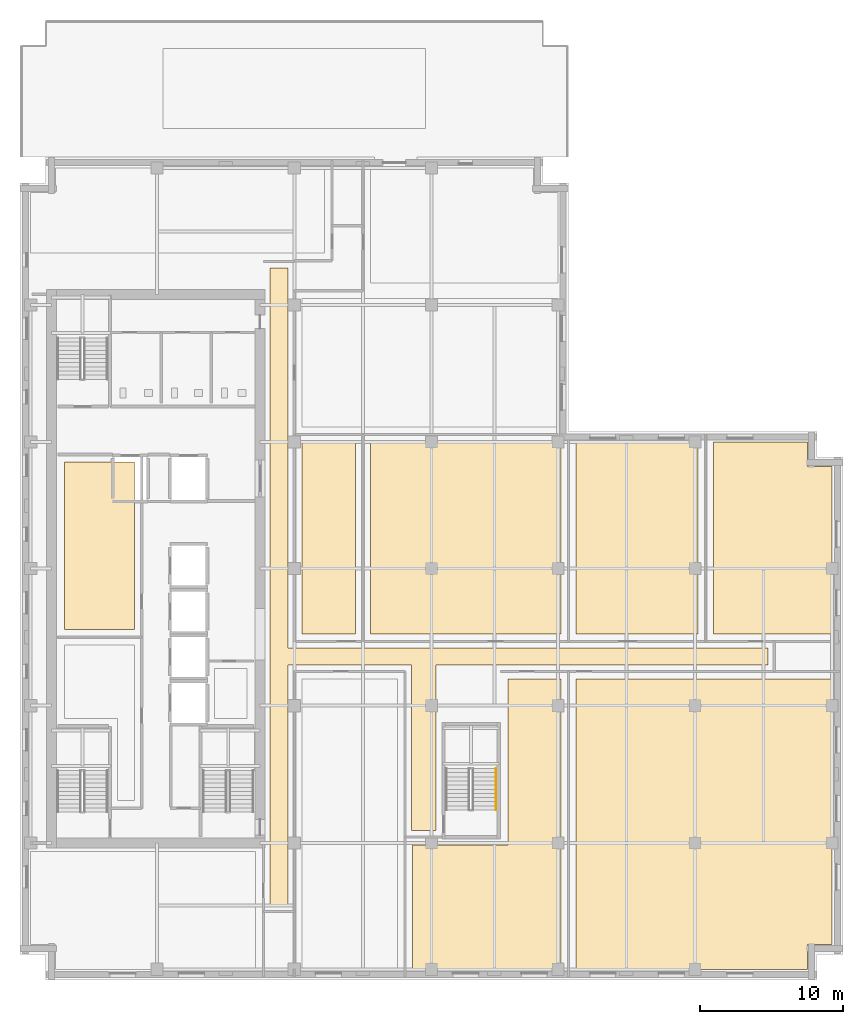
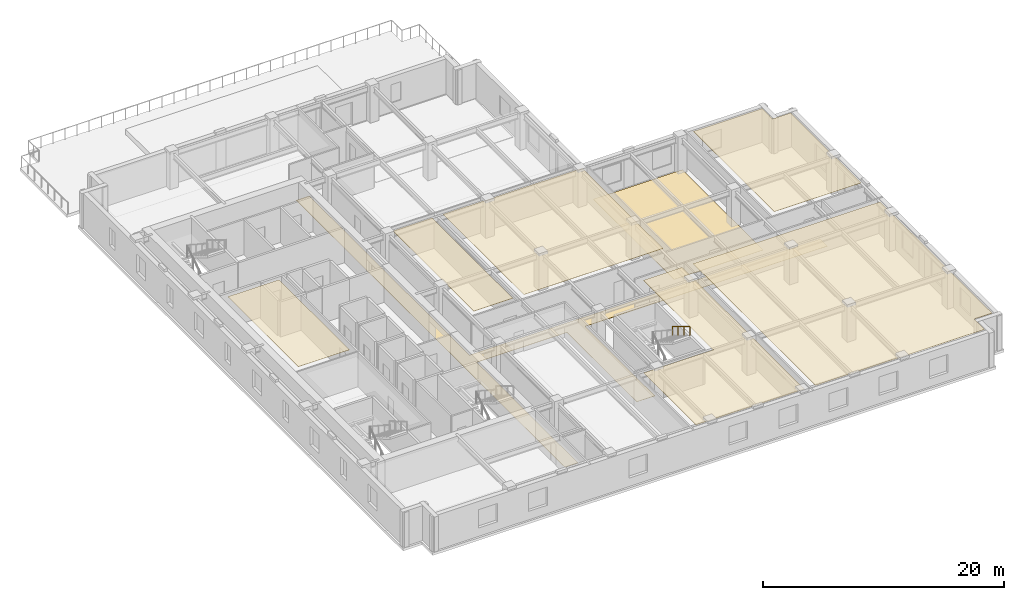
# One storey, part 9 of 12: 8 coverings, 1 railing.
"""IFC4 building model written with IfcOpenShell, lengths in metres."""

from ifc_helpers import new_model, si_unit, direction, frame, origin, origin_2d, place, context, subcontext, project, spatial, polyline, circle, outline, extrude, material, layer, layer_set, type_object, element, save


model = new_model("IFC4")

# Units and contexts
model_context = context("Model", 3, precision=1e-05, world=origin(), true_north=direction((0.0, 1.0)))
body_context = subcontext(model_context, "Body", "Model", "MODEL_VIEW")
ifc_project = project(units=[si_unit("LENGTHUNIT", "METRE"), si_unit("AREAUNIT", "SQUARE_METRE"), si_unit("VOLUMEUNIT", "CUBIC_METRE"), si_unit("PLANEANGLEUNIT", "RADIAN"), si_unit("MASSUNIT", "GRAM", prefix="KILO")], contexts=[model_context])

# Site, building, storey
site_placement = place(None, origin())
site = spatial("IfcSite", under=ifc_project, at=site_placement, CompositionType="ELEMENT")
building_placement = place(site_placement, origin())
building = spatial("IfcBuilding", under=site, at=building_placement, Name="Norrvale University Quadrangle", CompositionType="ELEMENT")
storey_placement = place(building_placement, frame((0.0, 0.0, 199.0)))
storey = spatial("IfcBuildingStorey", under=building, at=storey_placement, Name="L50", CompositionType="ELEMENT", Elevation=199.0)

# Coverings
ifc_material_1 = material(Name="Perforated Acoustic Mineral Ceiling")
ifc_layer_1 = layer(ifc_material_1, 0.02490234375, Name="Perforated Acoustic Mineral Ceiling")
ifc_layer_set_1 = layer_set([ifc_layer_1], Name="Perforated Acoustic Mineral Ceiling")
covering_type_1 = type_object("IfcCoveringType", Name="Covering Acoustic Ceiling 25", PredefinedType="CEILING", material=ifc_layer_set_1)
covering_1_placement = place(storey_placement, frame((0.0, 0.0, 3.514892578125)))
element("IfcCovering", 1, at=covering_1_placement, inside=storey, type_object=covering_type_1, Name="Acoustic Ceiling RM-L50-REC2", PredefinedType="CEILING", context=body_context, shape_type="SweptSolid", body=[
    extrude(outline(polyline([(3.10009765625, 24.550048828125), (3.10009765625, 36.25), (8.0, 36.25), (8.0, 24.550048828125), (3.10009765625, 24.550048828125)])), origin(), (0.0, 0.0, 1.0), 0.025146484375),
])
covering_2_placement = place(storey_placement, frame((0.0, 0.0, 3.514892578125)))
element("IfcCovering", 2, at=covering_2_placement, inside=storey, type_object=covering_type_1, Name="Acoustic Ceiling RM-L50-SE2", PredefinedType="CEILING", context=body_context, shape_type="SweptSolid", body=[
    extrude(outline(polyline([(27.47998046875, 9.449951171875), (34.14990234375, 9.449951171875), (34.14990234375, 21.070068359375), (37.8701171875, 21.070068359375), (37.8701171875, 0.75), (27.47998046875, 0.75), (27.47998046875, 9.449951171875)])), origin(), (0.0, 0.0, 1.0), 0.025146484375),
])
covering_3_placement = place(storey_placement, frame((0.0, 0.0, 3.514892578125)))
element("IfcCovering", 3, at=covering_3_placement, inside=storey, type_object=covering_type_1, Name="Acoustic Ceiling RM-L50-SE3", PredefinedType="CEILING", context=body_context, shape_type="SweptSolid", body=[
    extrude(outline(polyline([(38.929931640625, 0.75), (38.929931640625, 21.070068359375), (56.85009765625, 21.070068359375), (56.85009765625, 2.469970703125), (55.1298828125, 2.469970703125), (55.1298828125, 0.75), (38.929931640625, 0.75)])), origin(), (0.0, 0.0, 1.0), 0.025146484375),
])
covering_4_placement = place(storey_placement, frame((0.0, 0.0, 3.514892578125)))
element("IfcCovering", 4, at=covering_4_placement, inside=storey, type_object=covering_type_1, Name="Acoustic Ceiling RM-L50-ME01", PredefinedType="CEILING", context=body_context, shape_type="SweptSolid", body=[
    extrude(outline(polyline([(19.72998046875, 37.64990234375), (23.469970703125, 37.64990234375), (23.469970703125, 24.22998046875), (19.72998046875, 24.22998046875), (19.72998046875, 37.64990234375)])), origin(), (0.0, 0.0, 1.0), 0.025146484375),
])
covering_5_placement = place(storey_placement, frame((0.0, 0.0, 3.514892578125)))
element("IfcCovering", 5, at=covering_5_placement, inside=storey, type_object=covering_type_1, Name="Acoustic Ceiling RM-L50-ME02", PredefinedType="CEILING", context=body_context, shape_type="SweptSolid", body=[
    extrude(outline(polyline([(24.530029296875, 37.64990234375), (37.8701171875, 37.64990234375), (37.8701171875, 24.22998046875), (24.530029296875, 24.22998046875), (24.530029296875, 37.64990234375)])), origin(), (0.0, 0.0, 1.0), 0.025146484375),
])
covering_6_placement = place(storey_placement, frame((0.0, 0.0, 3.514892578125)))
element("IfcCovering", 6, at=covering_6_placement, inside=storey, type_object=covering_type_1, Name="Acoustic Ceiling RM-L50-ME04", PredefinedType="CEILING", context=body_context, shape_type="SweptSolid", body=[
    extrude(outline(polyline([(56.85009765625, 24.22998046875), (48.530029296875, 24.22998046875), (48.530029296875, 37.64990234375), (55.1298828125, 37.64990234375), (55.1298828125, 35.929931640625), (56.85009765625, 35.929931640625), (56.85009765625, 24.22998046875)])), origin(), (0.0, 0.0, 1.0), 0.025146484375),
])
ifc_material_2 = material(Name="Polished Terrazzo Flooring")
ifc_layer_2 = layer(ifc_material_2, 0.02490234375, Name="Polished Terrazzo Flooring")
ifc_layer_set_2 = layer_set([ifc_layer_2], Name="Polished Terrazzo Flooring")
covering_type_2 = type_object("IfcCoveringType", Name="Covering Terrazzo Floor 30", PredefinedType="FLOORING", material=ifc_layer_set_2)
covering_7_placement = place(storey_placement, origin())
element("IfcCovering", 7, at=covering_7_placement, inside=storey, type_object=covering_type_2, Name="Terrazzo Flooring RM-L50-CORR1", PredefinedType="FLOORING", context=body_context, shape_type="SweptSolid", body=[
    extrude(outline(polyline([(17.5, 5.25), (17.5, 49.85009765625), (18.75, 49.85009765625), (18.75, 23.25), (52.35009765625, 23.25), (52.35009765625, 22.050048828125), (29.1298828125, 22.050048828125), (29.1298828125, 10.449951171875), (27.39990234375, 10.449951171875), (27.39990234375, 22.050048828125), (18.75, 22.050048828125), (18.75, 5.25), (17.5, 5.25)])), origin(), (0.0, 0.0, 1.0), 0.02490234375),
])
covering_8_placement = place(storey_placement, origin())
element("IfcCovering", 8, at=covering_8_placement, inside=storey, type_object=covering_type_2, Name="Terrazzo Flooring RM-L50-ME03", PredefinedType="FLOORING", context=body_context, shape_type="SweptSolid", body=[
    extrude(outline(polyline([(38.929931640625, 37.64990234375), (47.469970703125, 37.64990234375), (47.469970703125, 24.22998046875), (38.929931640625, 24.22998046875), (38.929931640625, 37.64990234375)])), origin(), (0.0, 0.0, 1.0), 0.02490234375),
])

# Railing
ifc_material_3 = material(Name="Stainless Steel 316L Handrail", Category="steel")
railing_type = type_object("IfcRailingType", Name="Railing Stair Handrail 920", PredefinedType="HANDRAIL", material=ifc_material_3)
railing_placement = place(storey_placement, frame((33.31005859375, 14.800048828125, 2.07275390625)))
element("IfcRailing", 9, at=railing_placement, inside=storey, type_object=railing_type, Name="Stair Upper Flight Handrail ST-04 L50", PredefinedType="HANDRAIL", context=body_context, shape_type="SweptSolid", body=[
    extrude(circle(Radius=0.02392578125, at=origin_2d()), frame((0.0, 0.0, 0.89599609375), z_axis=(0.0, -0.859160404282, 0.51170636083), x_axis=(1.0, 0.0, 0.0)), (0.0, 0.0, 1.0), 3.37548828125),
    extrude(circle(Radius=0.02099609375, at=origin_2d()), origin(), (0.0, 0.0, 1.0), 0.871826171875),
    extrude(circle(Radius=0.02099609375, at=origin_2d()), frame((0.0, -0.966796875, 0.57568359375)), (0.0, 0.0, 1.0), 0.871826171875),
    extrude(circle(Radius=0.02099609375, at=origin_2d()), frame((0.0, -1.933349609375, 1.151611328125)), (0.0, 0.0, 1.0), 0.871826171875),
    extrude(circle(Radius=0.02099609375, at=origin_2d()), frame((0.0, -2.900146484375, 1.727294921875)), (0.0, 0.0, 1.0), 0.871826171875),
])

save(model, "model.ifc")
